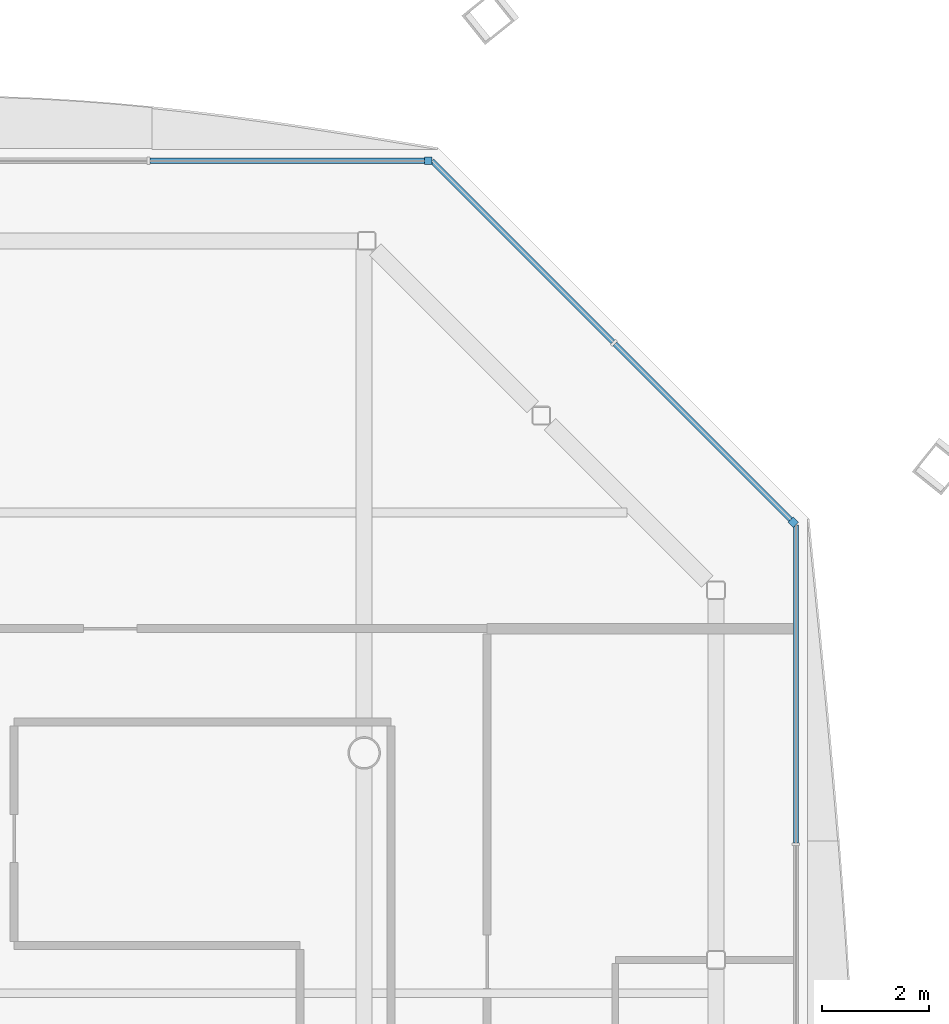
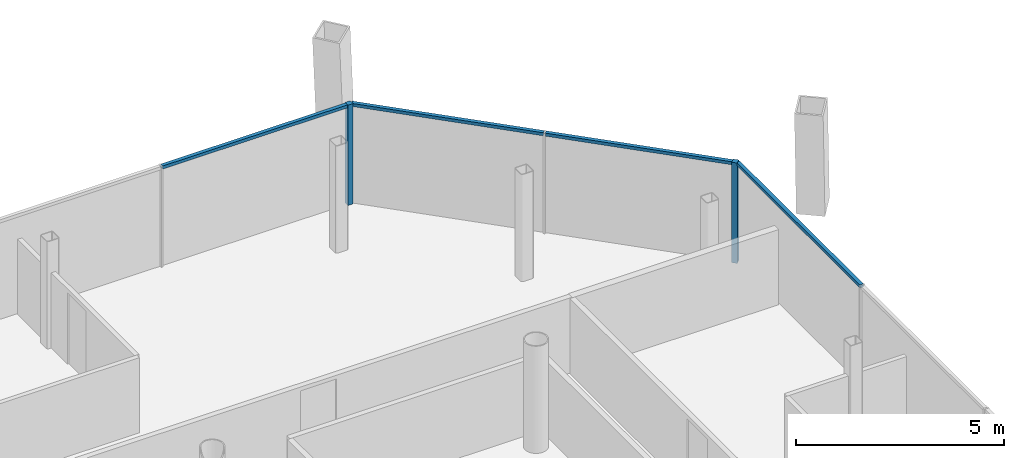
# One storey, part 12 of 20: 6 members, 3 elements without a shape of their own.
"""IFC4 building model written with IfcOpenShell, lengths in metres."""

import ifcopenshell
import ifcopenshell.guid

model = None  # the IFC model being written
_history = None  # IfcOwnerHistory: only IFC2X3 demands one
_inside = {}  # id of a spatial element -> (the spatial element, [elements in it])
_under = {}  # id of a project, library or spatial element -> (it, [spatial elements below it])
_declared = {}  # id of a project -> (the project, [libraries it declares])
_typed = {}  # id of a type object -> (the type object, [elements of that type])
_made_of = {}  # id of a material, layer set ... -> (it, [elements and type objects made of it])


def new_model(schema):
    """Start an empty IFC model of exactly this schema.

    Asked for "IFC4X3", IfcOpenShell would pick the latest addendum, in which some entities
    have other attributes; the version numbers below select the first issue.
    IFC2X3 requires an IfcOwnerHistory on every rooted entity: one is made here for all.
    """
    global model, _history
    if schema == "IFC4X3":
        model = ifcopenshell.file(schema_version=(4, 3, 0, 0))
    else:
        model = ifcopenshell.file(schema=schema)
    _inside.clear()
    _under.clear()
    _declared.clear()
    _typed.clear()
    _made_of.clear()
    _history = None
    if model.schema == "IFC2X3":
        org = make("IfcOrganization", Name="unknown")
        user = make(
            "IfcPersonAndOrganization",
            ThePerson=make("IfcPerson", FamilyName="unknown"),
            TheOrganization=org,
        )
        app = make(
            "IfcApplication",
            ApplicationDeveloper=org,
            Version="unknown",
            ApplicationFullName="unknown",
            ApplicationIdentifier="unknown",
        )
        _history = make(
            "IfcOwnerHistory",
            OwningUser=user,
            OwningApplication=app,
            ChangeAction="ADDED",
            CreationDate=0,
        )
    return model


def make(cls, **values):
    """One entity of the class cls with the attributes given. An attribute that is None is left unset."""
    return model.create_entity(
        cls, **{name: value for name, value in values.items() if value is not None}
    )


def rooted(cls, **values):
    """An entity with a GlobalId (a new one), such as an element, a storey or a relation."""
    return make(cls, GlobalId=ifcopenshell.guid.new(), OwnerHistory=_history, **values)


def si_unit(unit_type, name, prefix=None):
    """IfcSIUnit, for example si_unit("LENGTHUNIT", "METRE", prefix="MILLI")."""
    return make("IfcSIUnit", UnitType=unit_type, Prefix=prefix, Name=name)


def assignment(units):
    """IfcUnitAssignment: the units of a project."""
    return None if units is None else make("IfcUnitAssignment", Units=units)


def point(xyz):
    """IfcCartesianPoint."""
    return None if xyz is None else make("IfcCartesianPoint", Coordinates=xyz)


def direction(xyz):
    """IfcDirection."""
    return None if xyz is None else make("IfcDirection", DirectionRatios=xyz)


def frame(location, z_axis=None, x_axis=None):
    """IfcAxis2Placement3D, a coordinate frame: its origin and axes. An axis left out is left unset."""
    return make(
        "IfcAxis2Placement3D",
        Location=point(location),
        Axis=direction(z_axis),
        RefDirection=direction(x_axis),
    )


def frame_2d(location, x_axis=None):
    """IfcAxis2Placement2D, a coordinate frame in the plane: its origin and x axis."""
    return make(
        "IfcAxis2Placement2D", Location=point(location), RefDirection=direction(x_axis)
    )


def origin():
    """The frame at (0, 0, 0) with its axes left unset."""
    return frame((0.0, 0.0, 0.0))


def origin_2d():
    """The frame at (0, 0) in the plane with its x axis left unset."""
    return frame_2d((0.0, 0.0))


def place(relative_to, where):
    """IfcLocalPlacement: puts the frame where relative to a parent placement (None: the world)."""
    return make(
        "IfcLocalPlacement", PlacementRelTo=relative_to, RelativePlacement=where
    )


def context(
    kind, dimensions, precision=None, world=None, true_north=None, identifier=None
):
    """IfcGeometricRepresentationContext, for example the 3D "Model" context."""
    return make(
        "IfcGeometricRepresentationContext",
        ContextIdentifier=identifier,
        ContextType=kind,
        CoordinateSpaceDimension=dimensions,
        Precision=precision,
        WorldCoordinateSystem=world,
        TrueNorth=true_north,
    )


def subcontext(parent, identifier, kind, view, scale=None):
    """IfcGeometricRepresentationSubContext, for example "Body" below "Model"."""
    return make(
        "IfcGeometricRepresentationSubContext",
        ContextIdentifier=identifier,
        ContextType=kind,
        ParentContext=parent,
        TargetScale=scale,
        TargetView=view,
    )


def project(units=None, contexts=None):
    """IfcProject with its units and contexts."""
    return rooted(
        "IfcProject",
        Name="project",
        RepresentationContexts=contexts,
        UnitsInContext=assignment(units),
    )


def spatial(cls, under=None, at=None, **own):
    """A site, building, storey or space (cls), placed at a placement, below another one or the project."""
    s = rooted(cls, ObjectPlacement=at, **own)
    if under is not None:
        _under.setdefault(under.id(), (under, []))[1].append(s)
    return s


def profile(cls, at=None, kind="AREA", **sizes):
    """A parametric profile (cls). Its sizes go by their IFC names, for example OverallWidth=200.0."""
    return make(cls, ProfileType=kind, Position=at, **sizes)


def rectangle(**sizes):
    """IfcRectangleProfileDef."""
    return profile("IfcRectangleProfileDef", **sizes)


def extrude(swept, where, along, depth):
    """IfcExtrudedAreaSolid: the profile swept, set in the frame where, extruded along a direction by depth."""
    return make(
        "IfcExtrudedAreaSolid",
        SweptArea=swept,
        Position=where,
        ExtrudedDirection=direction(along),
        Depth=depth,
    )


def shape(context_of_items, identifier, shape_type, items):
    """IfcShapeRepresentation: the items that make up one representation, for example the "Body"."""
    return make(
        "IfcShapeRepresentation",
        ContextOfItems=context_of_items,
        RepresentationIdentifier=identifier,
        RepresentationType=shape_type,
        Items=items,
    )


def material(Name=None, Category=None):
    """IfcMaterial."""
    return make("IfcMaterial", Name=Name, Category=Category)


def material_profile(
    of_material, cross_section, Name=None, Category=None, Priority=None
):
    """IfcMaterialProfile: a cross section and its material."""
    return make(
        "IfcMaterialProfile",
        Name=Name,
        Material=of_material,
        Profile=cross_section,
        Priority=Priority,
        Category=Category,
    )


def profile_set(profiles, Name=None, composite=None):
    """IfcMaterialProfileSet."""
    return make(
        "IfcMaterialProfileSet",
        Name=Name,
        MaterialProfiles=profiles,
        CompositeProfile=composite,
    )


def made_of(thing, what):
    """Note that an element or type object is made of a material, layer set ...; save() writes the relation."""
    if what is not None:
        _made_of.setdefault(what.id(), (what, []))[1].append(thing)
    return thing


def type_object(cls, material=None, **own):
    """A type object (cls), such as IfcWallType, which elements share."""
    return made_of(rooted(cls, **own), material)


def element(
    cls,
    number,
    at=None,
    inside=None,
    cuts=None,
    type_object=None,
    material=None,
    context=None,
    identifier="Body",
    shape_type=None,
    held_by="IfcProductDefinitionShape",
    body=None,
    shapes=None,
    **own,
):
    """One element of the class cls, such as IfcWall. Its Tag is "e" and its number.

    at: its placement. inside: the storey or other place that contains it. cuts: it is an
    opening in that element (IfcRelVoidsElement). A single representation is given by context,
    identifier, shape_type and body (its items); several are given by shapes. held_by: the class
    of the entity that holds the representations. save() writes the other relations.
    """
    e = rooted(cls, Tag="e%d" % number, ObjectPlacement=at, **own)
    if body is not None:
        shapes = [shape(context, identifier, shape_type, body)]
    if shapes is not None:
        e.Representation = make(held_by, Representations=shapes)
    if inside is not None:
        _inside.setdefault(inside.id(), (inside, []))[1].append(e)
    if cuts is not None:
        rooted(
            "IfcRelVoidsElement", RelatingBuildingElement=cuts, RelatedOpeningElement=e
        )
    if type_object is not None:
        _typed.setdefault(type_object.id(), (type_object, []))[1].append(e)
    return made_of(e, material)


def aggregate(whole, parts):
    """IfcRelAggregates: a whole, such as a stair, and the parts it consists of."""
    return rooted("IfcRelAggregates", RelatingObject=whole, RelatedObjects=parts)


def save(model, path):
    """Write the relations noted so far, then the file.

    IfcRelAggregates (storeys below a building ...), IfcRelContainedInSpatialStructure (elements
    in a storey), IfcRelDefinesByType, IfcRelAssociatesMaterial and IfcRelDeclares: one each for
    every whole, place, type object, material and project.
    """
    for whole, parts in _under.values():
        aggregate(whole, parts)
    for where, things in _inside.values():
        rooted(
            "IfcRelContainedInSpatialStructure",
            RelatedElements=things,
            RelatingStructure=where,
        )
    for kind, things in _typed.values():
        rooted("IfcRelDefinesByType", RelatedObjects=things, RelatingType=kind)
    for what, things in _made_of.values():
        rooted("IfcRelAssociatesMaterial", RelatedObjects=things, RelatingMaterial=what)
    for by, libraries in _declared.values():
        rooted("IfcRelDeclares", RelatingContext=by, RelatedDefinitions=libraries)
    model.write(path)


model = new_model("IFC4")

# Units and contexts
model_context = context("Model", 3, precision=1e-05, world=origin(), true_north=direction((0.0, 1.0)))
body_context = subcontext(model_context, "Body", "Model", "MODEL_VIEW")
ifc_project = project(units=[si_unit("LENGTHUNIT", "METRE"), si_unit("AREAUNIT", "SQUARE_METRE"), si_unit("VOLUMEUNIT", "CUBIC_METRE"), si_unit("PLANEANGLEUNIT", "RADIAN"), si_unit("MASSUNIT", "GRAM", prefix="KILO")], contexts=[model_context])

# Site, building, storey
site_placement = place(None, origin())
site = spatial("IfcSite", under=ifc_project, at=site_placement, CompositionType="ELEMENT")
building_placement = place(site_placement, origin())
building = spatial("IfcBuilding", under=site, at=building_placement, Name="Tskaro Facet Tower", CompositionType="ELEMENT")
storey_placement = place(building_placement, frame((0.0, 0.0, 197.39990234375)))
storey = spatial("IfcBuildingStorey", under=building, at=storey_placement, Name="L50", CompositionType="ELEMENT", Elevation=197.39990234375)

# Curtain wall, member
ifc_material = material(Name="Bronze anodised aluminium 6063-T6", Category="aluminium")
curtain_wall_type = type_object("IfcCurtainWallType", Name="Bronze residence curtain wall (FW3)", PredefinedType="NOTDEFINED", material=ifc_material)
curtain_wall_1_placement = place(storey_placement, origin())
curtain_wall_1 = element("IfcCurtainWall", 1, at=curtain_wall_1_placement, inside=storey, type_object=curtain_wall_type, Name="FW3 north-east facet L50", PredefinedType="NOTDEFINED")
ifc_material_profile_1 = material_profile(ifc_material, rectangle(XDim=0.139892578125, YDim=0.139892578125, at=origin_2d()), Name="Corner post 140x140")
ifc_profile_set_1 = profile_set([ifc_material_profile_1], Name="Bronze anodised aluminium 6063-T6")
member_type_1 = type_object("IfcMemberType", Name="FW3 bronze corner post 140x140", PredefinedType="MULLION", material=ifc_profile_set_1)
member_1_placement = place(storey_placement, frame((17.030517578125, 13.319580078125, 0.0), z_axis=(0.0, 0.0, 1.0), x_axis=(-0.707106781187, 0.707106781187, 0.0)))
member_1 = element("IfcMember", 2, at=member_1_placement, type_object=member_type_1, Name="FW3 north-east corner post", PredefinedType="MULLION", context=body_context, shape_type="SweptSolid", body=[
    extrude(rectangle(XDim=0.139892578125, YDim=0.139892578125, at=origin_2d()), origin(), (0.0, 0.0, 1.0), 2.9501953125),
])

curtain_wall_2_placement = place(storey_placement, origin())
curtain_wall_2 = element("IfcCurtainWall", 3, at=curtain_wall_2_placement, inside=storey, type_object=curtain_wall_type, Name="FW3 north facet L50", PredefinedType="NOTDEFINED")
member_2_placement = place(storey_placement, frame((10.199951171875, 20.080078125, 0.0), z_axis=(0.0, 0.0, 1.0), x_axis=(-1.0, 0.0, 0.0)))
member_2 = element("IfcMember", 4, at=member_2_placement, type_object=member_type_1, Name="FW3 north corner post", PredefinedType="MULLION", context=body_context, shape_type="SweptSolid", body=[
    extrude(rectangle(XDim=0.139892578125, YDim=0.139892578125, at=origin_2d()), origin(), (0.0, 0.0, 1.0), 2.9501953125),
])

curtain_wall_3_placement = place(storey_placement, origin())
curtain_wall_3 = element("IfcCurtainWall", 5, at=curtain_wall_3_placement, inside=storey, type_object=curtain_wall_type, Name="FW3 east facet L50", PredefinedType="NOTDEFINED")
ifc_material_profile_2 = material_profile(ifc_material, rectangle(XDim=0.10009765625, YDim=0.090087890625, at=origin_2d()), Name="Transom 100x90")
ifc_profile_set_2 = profile_set([ifc_material_profile_2], Name="Bronze anodised aluminium 6063-T6")
member_type_2 = type_object("IfcMemberType", Name="FW3 bronze transom 100x90", PredefinedType="USERDEFINED", material=ifc_profile_set_2)
member_3_placement = place(storey_placement, frame((17.080078125, 7.3173828125, 2.905029296875), z_axis=(0.0, 1.0, 0.0), x_axis=(-1.0, 0.0, 0.0)))
member_3 = element("IfcMember", 6, at=member_3_placement, type_object=member_type_2, Name="FW3 east transom 5.1", ObjectType="TRANSOM", PredefinedType="USERDEFINED", context=body_context, shape_type="SweptSolid", body=[
    extrude(rectangle(XDim=0.10009765625, YDim=0.090087890625, at=origin_2d()), origin(), (0.0, 0.0, 1.0), 5.95263671875),
])
aggregate(curtain_wall_3, [member_3])

# Member
member_4_placement = place(storey_placement, frame((16.98095703125, 13.368896484375, 2.905029296875), z_axis=(-0.707106781187, 0.707106781187, 0.0), x_axis=(-0.707106781187, -0.707106781187, 0.0)))
member_4 = element("IfcMember", 7, at=member_4_placement, type_object=member_type_2, Name="FW3 north-east transom 1.1", ObjectType="TRANSOM", PredefinedType="USERDEFINED", context=body_context, shape_type="SweptSolid", body=[
    extrude(rectangle(XDim=0.10009765625, YDim=0.090087890625, at=origin_2d()), origin(), (0.0, 0.0, 1.0), 4.650390625),
])

member_5_placement = place(storey_placement, frame((13.6572265625, 16.692626953125, 2.905029296875), z_axis=(-0.707081298484, 0.707132262971, 0.0), x_axis=(-0.707132262971, -0.707081298484, 0.0)))
member_5 = element("IfcMember", 8, at=member_5_placement, type_object=member_type_2, Name="FW3 north-east transom 2.1", ObjectType="TRANSOM", PredefinedType="USERDEFINED", context=body_context, shape_type="SweptSolid", body=[
    extrude(rectangle(XDim=0.10009765625, YDim=0.090087890625, at=origin_2d()), origin(), (0.0, 0.0, 1.0), 4.79052734375),
])

aggregate(curtain_wall_1, [member_1, member_4, member_5])

member_6_placement = place(storey_placement, frame((10.1298828125, 20.080078125, 2.905029296875), z_axis=(-1.0, 0.0, 0.0), x_axis=(0.0, -1.0, 0.0)))
member_6 = element("IfcMember", 9, at=member_6_placement, type_object=member_type_2, Name="FW3 north transom 1.1", ObjectType="TRANSOM", PredefinedType="USERDEFINED", context=body_context, shape_type="SweptSolid", body=[
    extrude(rectangle(XDim=0.10009765625, YDim=0.090087890625, at=origin_2d()), origin(), (0.0, 0.0, 1.0), 5.142822265625),
])

aggregate(curtain_wall_2, [member_2, member_6])

save(model, "model.ifc")
